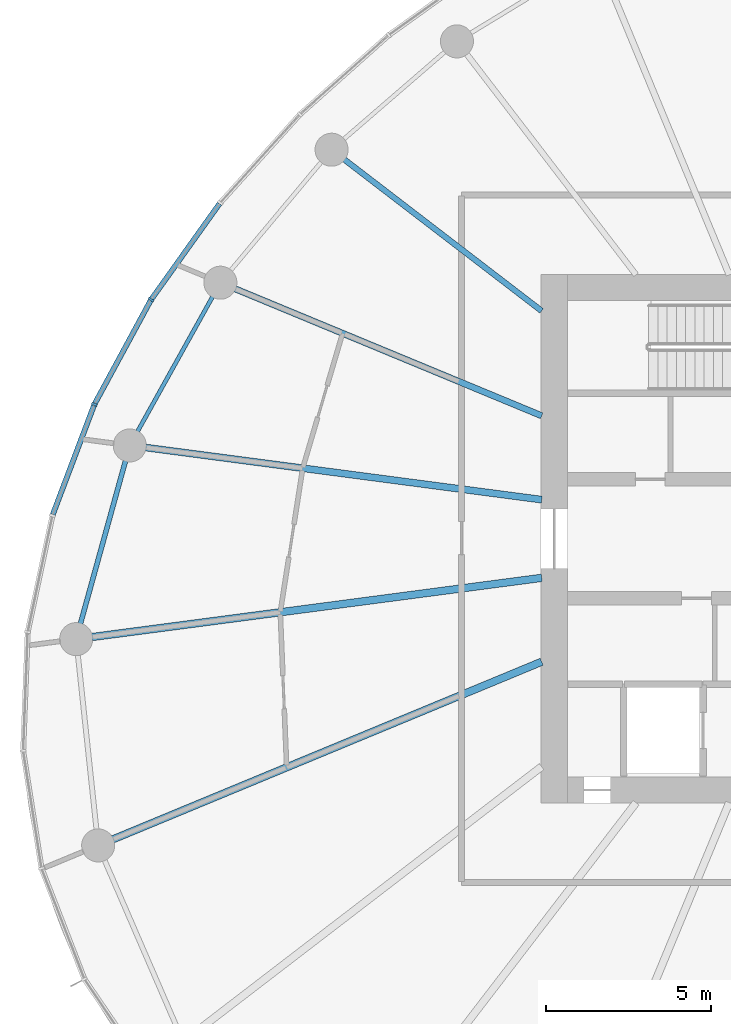
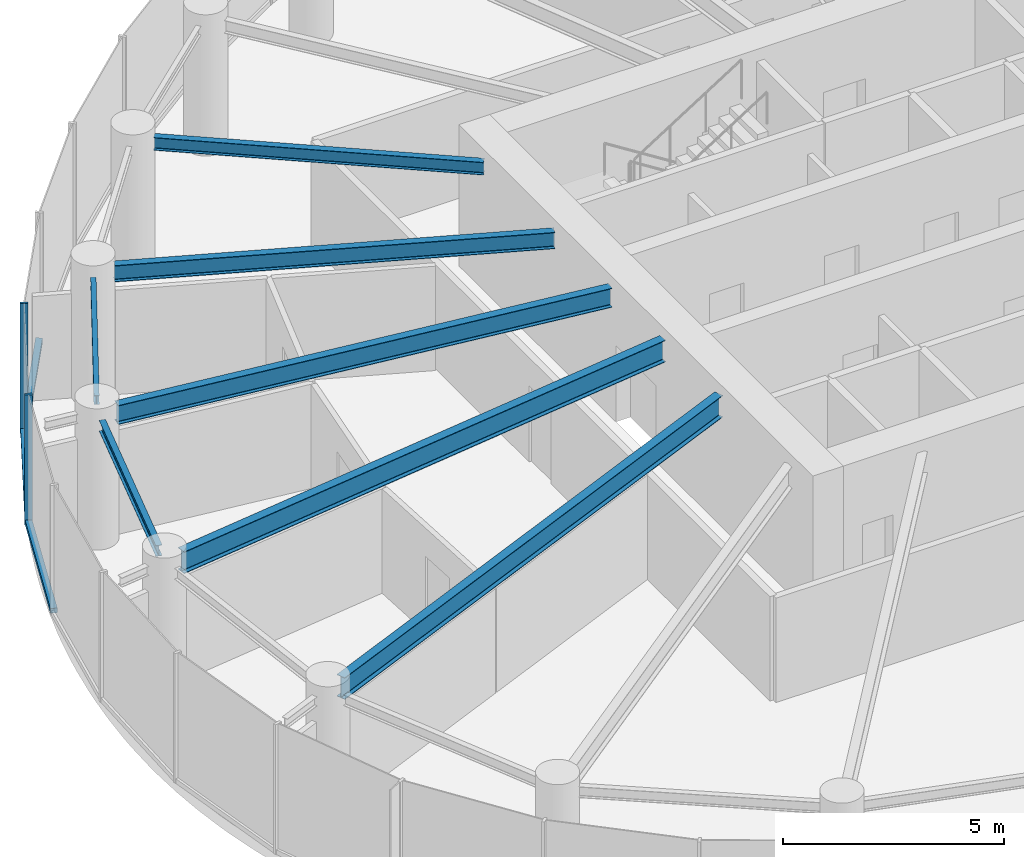
# One storey, part 3 of 14: 7 beams, 5 members, 1 element without a shape of its own.
"""IFC4 building model written with IfcOpenShell, lengths in metres."""

from ifc_helpers import new_model, si_unit, direction, frame, origin, origin_2d, place, context, subcontext, project, spatial, rectangle, i_section, extrude, source, transform, mapped, material, layer, layer_set, material_profile, profile_set, type_object, element, aggregate, save


model = new_model("IFC4")

# Units and contexts
model_context = context("Model", 3, precision=1e-05, world=origin(), true_north=direction((0.0, 1.0)))
body_context = subcontext(model_context, "Body", "Model", "MODEL_VIEW")
ifc_project = project(units=[si_unit("LENGTHUNIT", "METRE"), si_unit("AREAUNIT", "SQUARE_METRE"), si_unit("VOLUMEUNIT", "CUBIC_METRE"), si_unit("PLANEANGLEUNIT", "RADIAN"), si_unit("MASSUNIT", "GRAM", prefix="KILO")], contexts=[model_context])

# Site, building, storey
site_placement = place(None, origin())
site = spatial("IfcSite", under=ifc_project, at=site_placement, CompositionType="ELEMENT")
building_placement = place(site_placement, origin())
building = spatial("IfcBuilding", under=site, at=building_placement, Name="Spindrift Exchange Tower", CompositionType="ELEMENT")
storey_placement = place(building_placement, frame((0.0, 0.0, 144.800048828125)))
storey = spatial("IfcBuildingStorey", under=building, at=storey_placement, Name="L34", CompositionType="ELEMENT", Elevation=144.800048828125)

# Beams
ifc_material_1 = material(Name="Steel Grade 300", Category="steel")
ifc_material_profile_1 = material_profile(ifc_material_1, i_section(OverallWidth=0.1240234375, OverallDepth=0.248046875, WebThickness=0.0048828125, FlangeThickness=0.008056640625, FilletRadius=0.011962890625, at=origin_2d()), Name="250UB25.7")
ifc_profile_set_1 = profile_set([ifc_material_profile_1], Name="Steel Grade 300")
beam_type_1 = type_object("IfcBeamType", Name="Edge Beam 250UB25.7 Steel Grade 300", PredefinedType="SPANDREL", material=ifc_profile_set_1)
shared_shape_1 = source(origin(), body_context, "Body", "SweptSolid", [
    extrude(i_section(OverallWidth=0.1240234375, OverallDepth=0.248046875, WebThickness=0.0048828125, FlangeThickness=0.008056640625, FilletRadius=0.011962890625, at=origin_2d()), origin(), (0.0, 0.0, 1.0), 4.6748046875),
])
beam_1_placement = place(storey_placement, frame((33.067138671875, 55.326171875, 3.4560546875), z_axis=(-0.486587145143, -0.873632045075, 0.0), x_axis=(0.873632045075, -0.486587145143, 0.0)))
element("IfcBeam", 1, at=beam_1_placement, inside=storey, type_object=beam_type_1, Name="L34 edge beam E11", PredefinedType="SPANDREL", context=body_context, shape_type="MappedRepresentation", body=[
    mapped(shared_shape_1, transform((0.0, 0.0, 0.0), scale=1.0)),
])
ifc_material_profile_2 = material_profile(ifc_material_1, i_section(OverallWidth=0.14892578125, OverallDepth=0.298095703125, WebThickness=0.005615234375, FlangeThickness=0.008056640625, FilletRadius=0.012939453125, at=origin_2d()), Name="310UB32.0")
ifc_profile_set_2 = profile_set([ifc_material_profile_2], Name="Steel Grade 300")
beam_type_2 = type_object("IfcBeamType", Name="Edge Beam 310UB32.0 Steel Grade 300", PredefinedType="SPANDREL", material=ifc_profile_set_2)
shared_shape_2 = source(origin(), body_context, "Body", "SweptSolid", [
    extrude(i_section(OverallWidth=0.14892578125, OverallDepth=0.298095703125, WebThickness=0.005615234375, FlangeThickness=0.008056640625, FilletRadius=0.012939453125, at=origin_2d()), origin(), (0.0, 0.0, 1.0), 5.118896484375),
])
beam_2_placement = place(storey_placement, frame((30.430908203125, 50.360107421875, 3.430908203125), z_axis=(-0.266654866605, -0.963792084485, 0.0), x_axis=(0.963792084485, -0.266654866605, 0.0)))
element("IfcBeam", 2, at=beam_2_placement, inside=storey, type_object=beam_type_2, Name="L34 edge beam E12", PredefinedType="SPANDREL", context=body_context, shape_type="MappedRepresentation", body=[
    mapped(shared_shape_2, transform((0.0, 0.0, 0.0), scale=1.0)),
])
ifc_material_profile_3 = material_profile(ifc_material_1, i_section(OverallWidth=0.22802734375, OverallDepth=0.60205078125, WebThickness=0.010498046875, FlangeThickness=0.014892578125, FilletRadius=0.013916015625, at=origin_2d()), Name="610UB101")
ifc_profile_set_3 = profile_set([ifc_material_profile_3], Name="Steel Grade 300")
beam_type_3 = type_object("IfcBeamType", Name="Floor Beam 610UB101 Steel Grade 300", PredefinedType="BEAM", material=ifc_profile_set_3)
shared_shape_3 = source(origin(), body_context, "Body", "SweptSolid", [
    extrude(i_section(OverallWidth=0.22802734375, OverallDepth=0.60205078125, WebThickness=0.010498046875, FlangeThickness=0.014892578125, FilletRadius=0.013916015625, at=origin_2d()), origin(), (0.0, 0.0, 1.0), 13.723388671875),
])
beam_3_placement = place(storey_placement, frame((43.019775390625, 46.817626953125, 3.279052734375), z_axis=(-0.991447148915, -0.13050881544, 0.0), x_axis=(0.13050881544, -0.991447148915, 0.0)))
element("IfcBeam", 3, at=beam_3_placement, inside=storey, type_object=beam_type_3, Name="L34 radial beam R13A", PredefinedType="BEAM", context=body_context, shape_type="MappedRepresentation", body=[
    mapped(shared_shape_3, transform((0.0, 0.0, 0.0), scale=1.0)),
])
shared_shape_4 = source(origin(), body_context, "Body", "SweptSolid", [
    extrude(i_section(OverallWidth=0.22802734375, OverallDepth=0.60205078125, WebThickness=0.010498046875, FlangeThickness=0.014892578125, FilletRadius=0.013916015625, at=origin_2d()), origin(), (0.0, 0.0, 1.0), 14.04052734375),
])
beam_4_placement = place(storey_placement, frame((43.0185546875, 44.27978515625, 3.279052734375), z_axis=(-0.923879501748, -0.382683506634, 0.0), x_axis=(0.382683506634, -0.923879501748, 0.0)))
element("IfcBeam", 4, at=beam_4_placement, inside=storey, type_object=beam_type_3, Name="L34 radial beam R14A", PredefinedType="BEAM", context=body_context, shape_type="MappedRepresentation", body=[
    mapped(shared_shape_4, transform((0.0, 0.0, 0.0), scale=1.0)),
])
ifc_material_profile_4 = material_profile(ifc_material_1, i_section(OverallWidth=0.1708984375, OverallDepth=0.35205078125, WebThickness=0.0068359375, FlangeThickness=0.009765625, FilletRadius=0.013916015625, at=origin_2d()), Name="360UB44.7")
ifc_profile_set_4 = profile_set([ifc_material_profile_4], Name="Steel Grade 300")
beam_type_4 = type_object("IfcBeamType", Name="Floor Beam 360UB44.7 Steel Grade 300", PredefinedType="BEAM", material=ifc_profile_set_4)
shared_shape_5 = source(origin(), body_context, "Body", "SweptSolid", [
    extrude(i_section(OverallWidth=0.1708984375, OverallDepth=0.35205078125, WebThickness=0.0068359375, FlangeThickness=0.009765625, FilletRadius=0.013916015625, at=origin_2d()), origin(), (0.0, 0.0, 1.0), 7.52685546875),
])
beam_5_placement = place(storey_placement, frame((43.015869140625, 54.893798828125, 3.404052734375), z_axis=(-0.793354136078, 0.608760391918, 0.0), x_axis=(-0.608760391918, -0.793354136078, 0.0)))
element("IfcBeam", 5, at=beam_5_placement, inside=storey, type_object=beam_type_4, Name="L34 radial beam R10A", PredefinedType="BEAM", context=body_context, shape_type="MappedRepresentation", body=[
    mapped(shared_shape_5, transform((0.0, 0.0, 0.0), scale=1.0)),
])
ifc_material_profile_5 = material_profile(ifc_material_1, i_section(OverallWidth=0.18994140625, OverallDepth=0.4541015625, WebThickness=0.008544921875, FlangeThickness=0.0126953125, FilletRadius=0.013916015625, at=origin_2d()), Name="460UB67.1")
ifc_profile_set_5 = profile_set([ifc_material_profile_5], Name="Steel Grade 300")
beam_type_5 = type_object("IfcBeamType", Name="Floor Beam 460UB67.1 Steel Grade 300", PredefinedType="BEAM", material=ifc_profile_set_5)
shared_shape_6 = source(origin(), body_context, "Body", "SweptSolid", [
    extrude(i_section(OverallWidth=0.18994140625, OverallDepth=0.4541015625, WebThickness=0.008544921875, FlangeThickness=0.0126953125, FilletRadius=0.013916015625, at=origin_2d()), origin(), (0.0, 0.0, 1.0), 10.03857421875),
])
beam_6_placement = place(storey_placement, frame((43.0185546875, 51.72021484375, 3.35302734375), z_axis=(-0.923880777638, 0.382680426349, 0.0), x_axis=(-0.382680426349, -0.923880777638, 0.0)))
element("IfcBeam", 6, at=beam_6_placement, inside=storey, type_object=beam_type_5, Name="L34 radial beam R11A", PredefinedType="BEAM", context=body_context, shape_type="MappedRepresentation", body=[
    mapped(shared_shape_6, transform((0.0, 0.0, 0.0), scale=1.0)),
])
ifc_material_profile_6 = material_profile(ifc_material_1, i_section(OverallWidth=0.208984375, OverallDepth=0.528076171875, WebThickness=0.009521484375, FlangeThickness=0.01318359375, FilletRadius=0.013916015625, at=origin_2d()), Name="530UB82.0")
ifc_profile_set_6 = profile_set([ifc_material_profile_6], Name="Steel Grade 300")
beam_type_6 = type_object("IfcBeamType", Name="Floor Beam 530UB82.0 Steel Grade 300", PredefinedType="BEAM", material=ifc_profile_set_6)
shared_shape_7 = source(origin(), body_context, "Body", "SweptSolid", [
    extrude(i_section(OverallWidth=0.208984375, OverallDepth=0.528076171875, WebThickness=0.009521484375, FlangeThickness=0.01318359375, FilletRadius=0.013916015625, at=origin_2d()), origin(), (0.0, 0.0, 1.0), 12.088134765625),
])
beam_7_placement = place(storey_placement, frame((43.019775390625, 49.182373046875, 3.31591796875), z_axis=(-0.991447007302, 0.130509891244, 0.0), x_axis=(-0.130509891244, -0.991447007302, 0.0)))
element("IfcBeam", 7, at=beam_7_placement, inside=storey, type_object=beam_type_6, Name="L34 radial beam R12A", PredefinedType="BEAM", context=body_context, shape_type="MappedRepresentation", body=[
    mapped(shared_shape_7, transform((0.0, 0.0, 0.0), scale=1.0)),
])

# Curtain wall, members
ifc_material_2 = material(Name="Fritted laminated glass with bronze frame", Category="glass")
ifc_layer = layer(ifc_material_2, 0.179931640625)
ifc_layer_set = layer_set([ifc_layer], Name="ZONE 3 BRONZE FRITTED WALL")
curtain_wall_type = type_object("IfcCurtainWallType", Name="ZONE 3 BRONZE FRITTED WALL", PredefinedType="NOTDEFINED", material=ifc_layer_set)
curtain_wall_placement = place(storey_placement, origin())
curtain_wall = element("IfcCurtainWall", 8, at=curtain_wall_placement, inside=storey, type_object=curtain_wall_type, Name="L34 Zone 3 Bronze Fritted Wall run 3", PredefinedType="NOTDEFINED")
ifc_material_3 = material(Name="Bronze anodised aluminium", Category="aluminium")
ifc_material_profile_7 = material_profile(ifc_material_3, rectangle(XDim=0.070068359375, YDim=0.179931640625, at=origin_2d()), Name="ZONE 3 BRONZE FRITTED WALL MULLION 70X180")
ifc_profile_set_7 = profile_set([ifc_material_profile_7], Name="Bronze anodised aluminium")
member_type_1 = type_object("IfcMemberType", Name="ZONE 3 BRONZE FRITTED WALL MULLION 70X180", PredefinedType="MULLION", material=ifc_profile_set_7)
shared_shape_8 = source(origin(), body_context, "Body", "SweptSolid", [
    extrude(rectangle(XDim=0.070068359375, YDim=0.179931640625, at=origin_2d()), origin(), (0.0, 0.0, 1.0), 3.579833984375),
])
member_1_placement = place(storey_placement, frame((31.202392578125, 55.23193359375, 0.0), z_axis=(0.0, 0.0, 1.0), x_axis=(-0.529364424192, -0.848394546423, 0.0)))
member_1 = element("IfcMember", 9, at=member_1_placement, type_object=member_type_1, Name="L34 mullion CW-3.15", PredefinedType="MULLION", context=body_context, shape_type="MappedRepresentation", body=[
    mapped(shared_shape_8, transform((0.0, 0.0, 0.0), scale=1.0)),
])
member_2_placement = place(storey_placement, frame((29.488037109375, 52.066162109375, 0.0), z_axis=(0.0, 0.0, 1.0), x_axis=(-0.415638927513, -0.909529703713, 0.0)))
member_2 = element("IfcMember", 10, at=member_2_placement, type_object=member_type_1, Name="L34 mullion CW-3.16", PredefinedType="MULLION", context=body_context, shape_type="MappedRepresentation", body=[
    mapped(shared_shape_8, transform((0.0, 0.0, 0.0), scale=1.0)),
])
ifc_material_profile_8 = material_profile(ifc_material_3, rectangle(XDim=0.159912109375, YDim=0.1298828125, at=origin_2d()), Name="ZONE 3 BRONZE FRITTED WALL TRANSOM 160X130")
ifc_profile_set_8 = profile_set([ifc_material_profile_8], Name="Bronze anodised aluminium")
member_type_2 = type_object("IfcMemberType", Name="ZONE 3 BRONZE FRITTED WALL TRANSOM 160X130", PredefinedType="USERDEFINED", material=ifc_profile_set_8)
shared_shape_9 = source(origin(), body_context, "Body", "SweptSolid", [
    extrude(rectangle(XDim=0.159912109375, YDim=0.1298828125, at=origin_2d()), origin(), (0.0, 0.0, 1.0), 3.5302734375),
])
member_3_placement = place(storey_placement, frame((33.272216796875, 58.135009765625, 0.06494140625), z_axis=(-0.580551115333, -0.814223803684, 0.0), x_axis=(0.814223803684, -0.580551115333, 0.0)))
member_3 = element("IfcMember", 11, at=member_3_placement, type_object=member_type_2, Name="L34 transom CW-3.14", ObjectType="TRANSOM", PredefinedType="USERDEFINED", context=body_context, shape_type="MappedRepresentation", body=[
    mapped(shared_shape_9, transform((0.0, 0.0, 0.0), scale=1.0)),
])
shared_shape_10 = source(origin(), body_context, "Body", "SweptSolid", [
    extrude(rectangle(XDim=0.159912109375, YDim=0.1298828125, at=origin_2d()), origin(), (0.0, 0.0, 1.0), 3.530029296875),
])
member_4_placement = place(storey_placement, frame((31.185791015625, 55.201171875, 0.06494140625), z_axis=(-0.476160606935, -0.879358332197, 0.0), x_axis=(0.879358332197, -0.476160606935, 0.0)))
member_4 = element("IfcMember", 12, at=member_4_placement, type_object=member_type_2, Name="L34 transom CW-3.15", ObjectType="TRANSOM", PredefinedType="USERDEFINED", context=body_context, shape_type="MappedRepresentation", body=[
    mapped(shared_shape_10, transform((0.0, 0.0, 0.0), scale=1.0)),
])
shared_shape_11 = source(origin(), body_context, "Body", "SweptSolid", [
    extrude(rectangle(XDim=0.159912109375, YDim=0.1298828125, at=origin_2d()), origin(), (0.0, 0.0, 1.0), 3.529541015625),
])
member_5_placement = place(storey_placement, frame((29.475830078125, 52.033447265625, 0.06494140625), z_axis=(-0.35319205758, -0.935550837989, 0.0), x_axis=(0.935550837989, -0.35319205758, 0.0)))
member_5 = element("IfcMember", 13, at=member_5_placement, type_object=member_type_2, Name="L34 transom CW-3.16", ObjectType="TRANSOM", PredefinedType="USERDEFINED", context=body_context, shape_type="MappedRepresentation", body=[
    mapped(shared_shape_11, transform((0.0, 0.0, 0.0), scale=1.0)),
])
aggregate(curtain_wall, [member_3, member_1, member_4, member_2, member_5])

save(model, "model.ifc")
